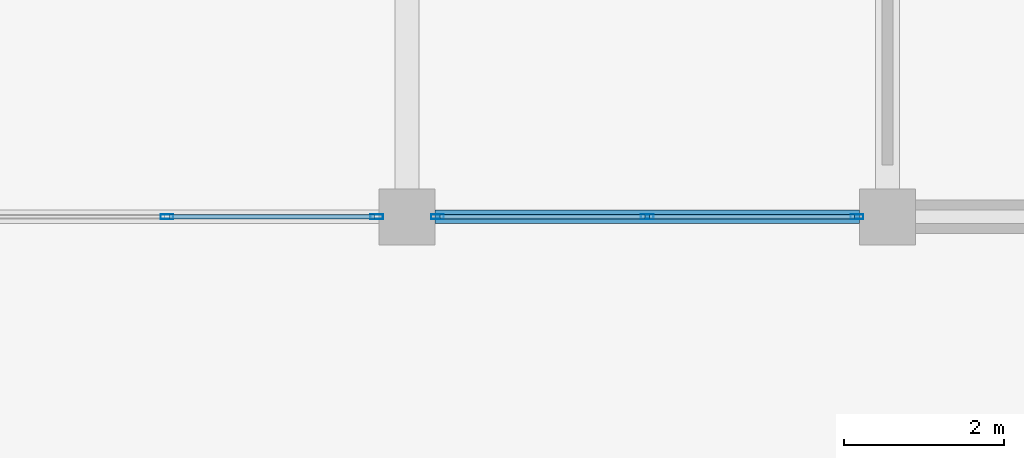
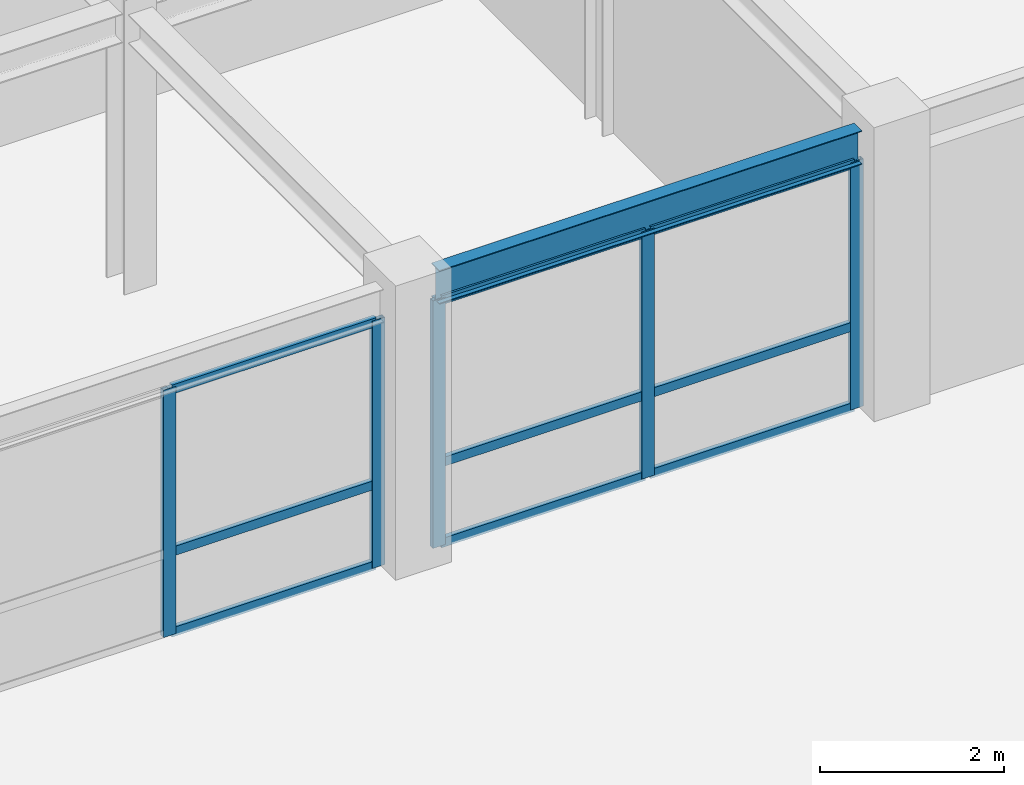
# One storey, part 13 of 25: 14 members, 1 beam, 2 elements without a shape of their own.
"""IFC4 building model written with IfcOpenShell, lengths in metres."""

from ifc_helpers import new_model, si_unit, direction, frame, origin, origin_2d, place, context, subcontext, project, spatial, hollow_rectangle, i_section, extrude, material, layer, layer_set, material_profile, profile_set, type_object, element, aggregate, save


model = new_model("IFC4")

# Units and contexts
model_context = context("Model", 3, precision=1e-05, world=origin(), true_north=direction((0.0, 1.0)))
body_context = subcontext(model_context, "Body", "Model", "MODEL_VIEW")
ifc_project = project(units=[si_unit("LENGTHUNIT", "METRE"), si_unit("AREAUNIT", "SQUARE_METRE"), si_unit("VOLUMEUNIT", "CUBIC_METRE"), si_unit("PLANEANGLEUNIT", "RADIAN"), si_unit("MASSUNIT", "GRAM", prefix="KILO")], contexts=[model_context])

# Site, building, storey
site_placement = place(None, origin())
site = spatial("IfcSite", under=ifc_project, at=site_placement, CompositionType="ELEMENT")
building_placement = place(site_placement, origin())
building = spatial("IfcBuilding", under=site, at=building_placement, Name="Zlatovratsky Civic Hall", CompositionType="ELEMENT")
storey_placement = place(building_placement, frame((0.0, 0.0, 21.0)))
storey = spatial("IfcBuildingStorey", under=building, at=storey_placement, Name="L05", CompositionType="ELEMENT", Elevation=21.0)

# Beam
ifc_material_1 = material(Name="Steel S355", Category="steel")
ifc_material_profile_1 = material_profile(ifc_material_1, i_section(OverallWidth=0.169921875, OverallDepth=0.446044921875, WebThickness=0.007568359375, FlangeThickness=0.010986328125, FilletRadius=0.01611328125, at=origin_2d()), Name="45B1")
ifc_profile_set_1 = profile_set([ifc_material_profile_1], Name="Steel S355")
beam_type = type_object("IfcBeamType", Name="Beam_Spandrel_45B1", PredefinedType="SPANDREL", material=ifc_profile_set_1)
beam_placement = place(storey_placement, frame((84.35009765625, 72.0, 3.47705078125), z_axis=(1.0, 0.0, 0.0), x_axis=(0.0, 1.0, 0.0)))
element("IfcBeam", 1, at=beam_placement, inside=storey, type_object=beam_type, Name="BM-3916", PredefinedType="SPANDREL", context=body_context, shape_type="SweptSolid", body=[
    extrude(i_section(OverallWidth=0.169921875, OverallDepth=0.446044921875, WebThickness=0.007568359375, FlangeThickness=0.010986328125, FilletRadius=0.01611328125, at=origin_2d()), origin(), (0.0, 0.0, 1.0), 5.2998046875),
])

# Curtain wall, members
ifc_material_2 = material(Name="Anodised bronze aluminium", Category="aluminium")
ifc_layer = layer(ifc_material_2, 0.159912109375)
ifc_layer_set = layer_set([ifc_layer], Name="Anodised bronze aluminium")
curtain_wall_type = type_object("IfcCurtainWallType", Name="CurtainWall_Bronze_5300x3280_20", PredefinedType="NOTDEFINED", material=ifc_layer_set)
curtain_wall_1_placement = place(storey_placement, origin())
curtain_wall_1 = element("IfcCurtainWall", 2, at=curtain_wall_1_placement, inside=storey, type_object=curtain_wall_type, Name="CW-129", PredefinedType="NOTDEFINED")
ifc_material_profile_2 = material_profile(ifc_material_2, hollow_rectangle(XDim=0.06005859375, YDim=0.159912109375, WallThickness=0.00390625, at=origin_2d()), Name="ALU 60x160x4")
ifc_profile_set_2 = profile_set([ifc_material_profile_2], Name="Anodised bronze aluminium")
member_type_1 = type_object("IfcMemberType", Name="CW_Mullion_60x160", PredefinedType="MULLION", material=ifc_profile_set_2)
member_1_placement = place(storey_placement, frame((81.0, 72.0, 0.0), z_axis=(0.0, 0.0, 1.0), x_axis=(0.0, 1.0, 0.0)))
member_1 = element("IfcMember", 3, at=member_1_placement, type_object=member_type_1, Name="CW-20 mullion 2", PredefinedType="MULLION", context=body_context, shape_type="SweptSolid", body=[
    extrude(hollow_rectangle(XDim=0.06005859375, YDim=0.159912109375, WallThickness=0.00390625, at=origin_2d()), origin(), (0.0, 0.0, 1.0), 3.280029296875),
])
member_2_placement = place(storey_placement, frame((83.6201171875, 72.0, 0.0), z_axis=(0.0, 0.0, 1.0), x_axis=(0.0, 1.0, 0.0)))
member_2 = element("IfcMember", 4, at=member_2_placement, type_object=member_type_1, Name="CW-20 mullion 3", PredefinedType="MULLION", context=body_context, shape_type="SweptSolid", body=[
    extrude(hollow_rectangle(XDim=0.06005859375, YDim=0.159912109375, WallThickness=0.00390625, at=origin_2d()), origin(), (0.0, 0.0, 1.0), 3.280029296875),
])

curtain_wall_2_placement = place(storey_placement, origin())
curtain_wall_2 = element("IfcCurtainWall", 5, at=curtain_wall_2_placement, inside=storey, type_object=curtain_wall_type, Name="CW-130", PredefinedType="NOTDEFINED")
member_3_placement = place(storey_placement, frame((84.3798828125, 72.0, 0.0), z_axis=(0.0, 0.0, 1.0), x_axis=(0.0, 1.0, 0.0)))
member_3 = element("IfcMember", 6, at=member_3_placement, type_object=member_type_1, Name="CW-20 mullion 1", PredefinedType="MULLION", context=body_context, shape_type="SweptSolid", body=[
    extrude(hollow_rectangle(XDim=0.06005859375, YDim=0.159912109375, WallThickness=0.00390625, at=origin_2d()), origin(), (0.0, 0.0, 1.0), 3.280029296875),
])
member_4_placement = place(storey_placement, frame((87.0, 72.0, 0.0), z_axis=(0.0, 0.0, 1.0), x_axis=(0.0, 1.0, 0.0)))
member_4 = element("IfcMember", 7, at=member_4_placement, type_object=member_type_1, Name="CW-20 mullion 2", PredefinedType="MULLION", context=body_context, shape_type="SweptSolid", body=[
    extrude(hollow_rectangle(XDim=0.06005859375, YDim=0.159912109375, WallThickness=0.00390625, at=origin_2d()), origin(), (0.0, 0.0, 1.0), 3.280029296875),
])
member_5_placement = place(storey_placement, frame((89.6201171875, 72.0, 0.0), z_axis=(0.0, 0.0, 1.0), x_axis=(0.0, 1.0, 0.0)))
member_5 = element("IfcMember", 8, at=member_5_placement, type_object=member_type_1, Name="CW-20 mullion 3", PredefinedType="MULLION", context=body_context, shape_type="SweptSolid", body=[
    extrude(hollow_rectangle(XDim=0.06005859375, YDim=0.159912109375, WallThickness=0.00390625, at=origin_2d()), origin(), (0.0, 0.0, 1.0), 3.280029296875),
])

# Member
ifc_material_profile_3 = material_profile(ifc_material_2, hollow_rectangle(XDim=0.06005859375, YDim=0.1201171875, WallThickness=0.00390625, at=origin_2d()), Name="ALU 60x120x4")
ifc_profile_set_3 = profile_set([ifc_material_profile_3], Name="Anodised bronze aluminium")
member_type_2 = type_object("IfcMemberType", Name="CW_Transom_60x120", PredefinedType="USERDEFINED", material=ifc_profile_set_3)
member_6_placement = place(storey_placement, frame((81.030029296875, 72.0, 0.030029296875), z_axis=(1.0, 0.0, 0.0), x_axis=(0.0, 1.0, 0.0)))
member_6 = element("IfcMember", 9, at=member_6_placement, type_object=member_type_2, Name="CW-20 transom 2.1", ObjectType="TRANSOM", PredefinedType="USERDEFINED", context=body_context, shape_type="SweptSolid", body=[
    extrude(hollow_rectangle(XDim=0.06005859375, YDim=0.1201171875, WallThickness=0.00390625, at=origin_2d()), origin(), (0.0, 0.0, 1.0), 2.56005859375),
])

member_7_placement = place(storey_placement, frame((81.030029296875, 72.0, 1.10009765625), z_axis=(1.0, 0.0, 0.0), x_axis=(0.0, 1.0, 0.0)))
member_7 = element("IfcMember", 10, at=member_7_placement, type_object=member_type_2, Name="CW-20 transom 2.2", ObjectType="TRANSOM", PredefinedType="USERDEFINED", context=body_context, shape_type="SweptSolid", body=[
    extrude(hollow_rectangle(XDim=0.06005859375, YDim=0.1201171875, WallThickness=0.00390625, at=origin_2d()), origin(), (0.0, 0.0, 1.0), 2.56005859375),
])

member_8_placement = place(storey_placement, frame((81.030029296875, 72.0, 3.25), z_axis=(1.0, 0.0, 0.0), x_axis=(0.0, 1.0, 0.0)))
member_8 = element("IfcMember", 11, at=member_8_placement, type_object=member_type_2, Name="CW-20 transom 2.3", ObjectType="TRANSOM", PredefinedType="USERDEFINED", context=body_context, shape_type="SweptSolid", body=[
    extrude(hollow_rectangle(XDim=0.06005859375, YDim=0.1201171875, WallThickness=0.00390625, at=origin_2d()), origin(), (0.0, 0.0, 1.0), 2.56005859375),
])

aggregate(curtain_wall_1, [member_1, member_2, member_6, member_7, member_8])

member_9_placement = place(storey_placement, frame((84.409912109375, 72.0, 0.030029296875), z_axis=(1.0, 0.0, 0.0), x_axis=(0.0, 1.0, 0.0)))
member_9 = element("IfcMember", 12, at=member_9_placement, type_object=member_type_2, Name="CW-20 transom 1.1", ObjectType="TRANSOM", PredefinedType="USERDEFINED", context=body_context, shape_type="SweptSolid", body=[
    extrude(hollow_rectangle(XDim=0.06005859375, YDim=0.1201171875, WallThickness=0.00390625, at=origin_2d()), origin(), (0.0, 0.0, 1.0), 2.56005859375),
])

member_10_placement = place(storey_placement, frame((84.409912109375, 72.0, 1.10009765625), z_axis=(1.0, 0.0, 0.0), x_axis=(0.0, 1.0, 0.0)))
member_10 = element("IfcMember", 13, at=member_10_placement, type_object=member_type_2, Name="CW-20 transom 1.2", ObjectType="TRANSOM", PredefinedType="USERDEFINED", context=body_context, shape_type="SweptSolid", body=[
    extrude(hollow_rectangle(XDim=0.06005859375, YDim=0.1201171875, WallThickness=0.00390625, at=origin_2d()), origin(), (0.0, 0.0, 1.0), 2.56005859375),
])

member_11_placement = place(storey_placement, frame((84.409912109375, 72.0, 3.25), z_axis=(1.0, 0.0, 0.0), x_axis=(0.0, 1.0, 0.0)))
member_11 = element("IfcMember", 14, at=member_11_placement, type_object=member_type_2, Name="CW-20 transom 1.3", ObjectType="TRANSOM", PredefinedType="USERDEFINED", context=body_context, shape_type="SweptSolid", body=[
    extrude(hollow_rectangle(XDim=0.06005859375, YDim=0.1201171875, WallThickness=0.00390625, at=origin_2d()), origin(), (0.0, 0.0, 1.0), 2.56005859375),
])

member_12_placement = place(storey_placement, frame((87.030029296875, 72.0, 0.030029296875), z_axis=(1.0, 0.0, 0.0), x_axis=(0.0, 1.0, 0.0)))
member_12 = element("IfcMember", 15, at=member_12_placement, type_object=member_type_2, Name="CW-20 transom 2.1", ObjectType="TRANSOM", PredefinedType="USERDEFINED", context=body_context, shape_type="SweptSolid", body=[
    extrude(hollow_rectangle(XDim=0.06005859375, YDim=0.1201171875, WallThickness=0.00390625, at=origin_2d()), origin(), (0.0, 0.0, 1.0), 2.56005859375),
])

member_13_placement = place(storey_placement, frame((87.030029296875, 72.0, 1.10009765625), z_axis=(1.0, 0.0, 0.0), x_axis=(0.0, 1.0, 0.0)))
member_13 = element("IfcMember", 16, at=member_13_placement, type_object=member_type_2, Name="CW-20 transom 2.2", ObjectType="TRANSOM", PredefinedType="USERDEFINED", context=body_context, shape_type="SweptSolid", body=[
    extrude(hollow_rectangle(XDim=0.06005859375, YDim=0.1201171875, WallThickness=0.00390625, at=origin_2d()), origin(), (0.0, 0.0, 1.0), 2.56005859375),
])

member_14_placement = place(storey_placement, frame((87.030029296875, 72.0, 3.25), z_axis=(1.0, 0.0, 0.0), x_axis=(0.0, 1.0, 0.0)))
member_14 = element("IfcMember", 17, at=member_14_placement, type_object=member_type_2, Name="CW-20 transom 2.3", ObjectType="TRANSOM", PredefinedType="USERDEFINED", context=body_context, shape_type="SweptSolid", body=[
    extrude(hollow_rectangle(XDim=0.06005859375, YDim=0.1201171875, WallThickness=0.00390625, at=origin_2d()), origin(), (0.0, 0.0, 1.0), 2.56005859375),
])

aggregate(curtain_wall_2, [member_3, member_4, member_5, member_9, member_10, member_11, member_12, member_13, member_14])

save(model, "model.ifc")
